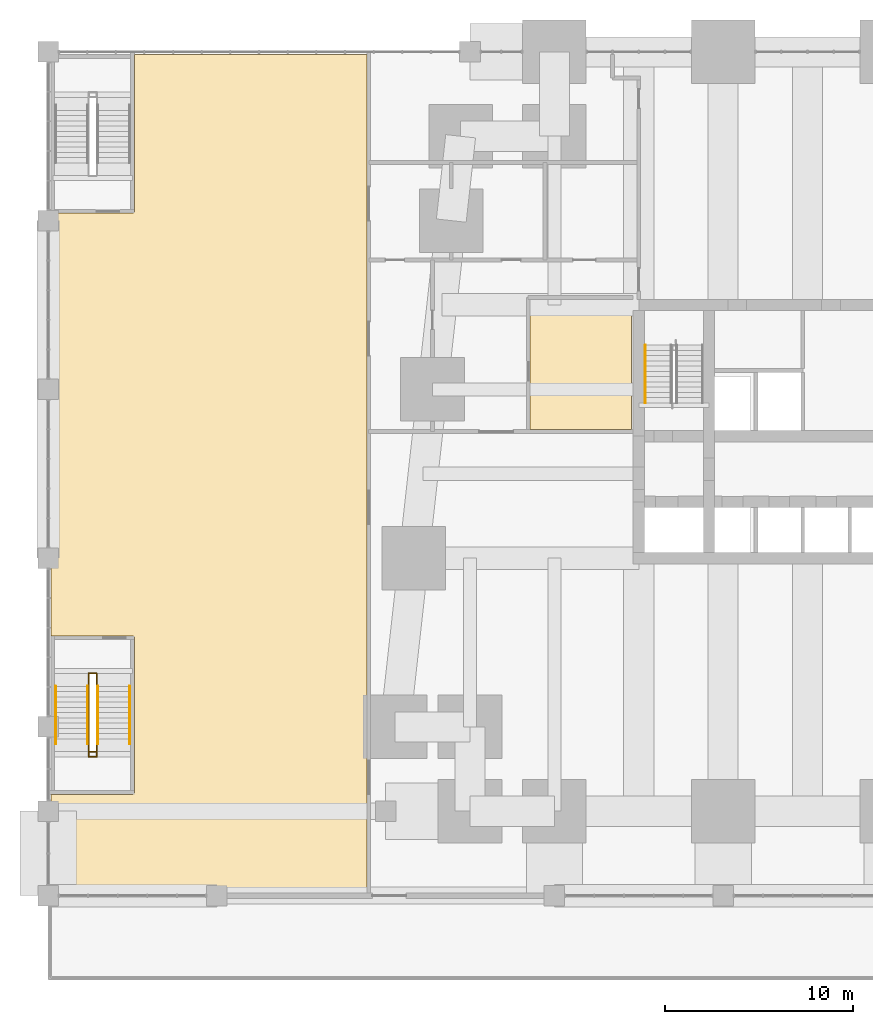
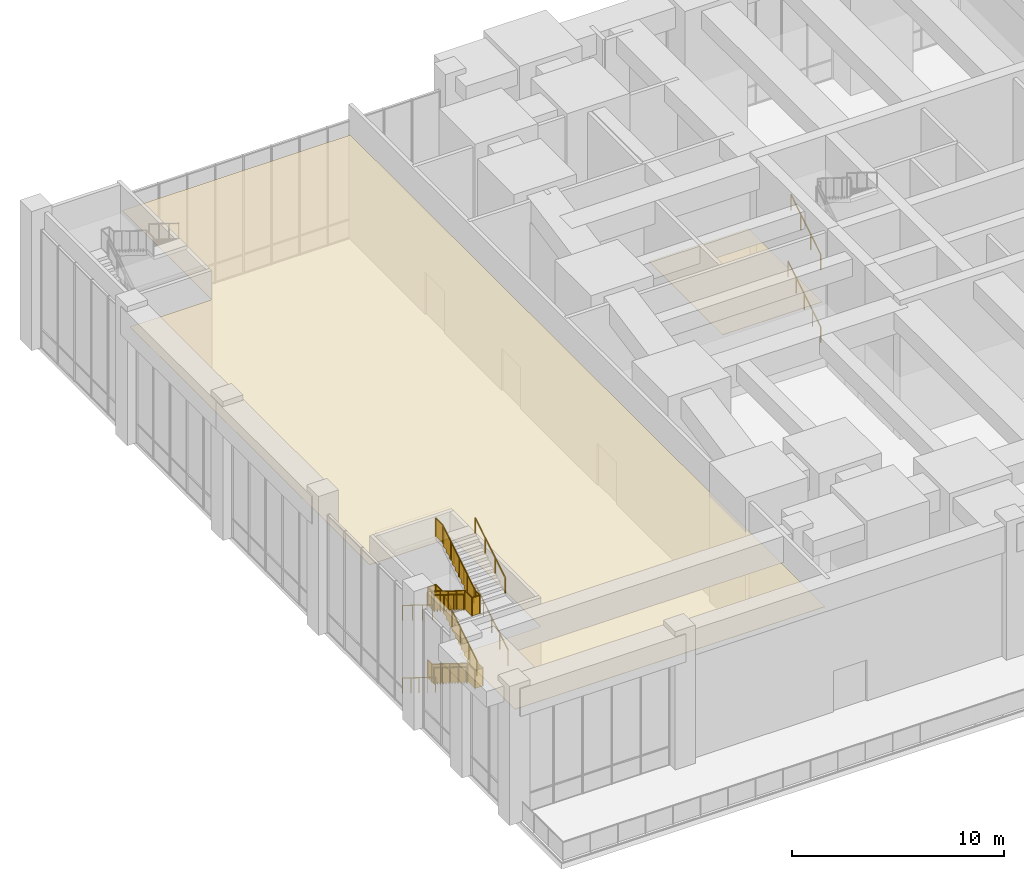
# One storey, part 23 of 26: 14 railings, 2 coverings.
"""IFC4 building model written with IfcOpenShell, lengths in metres."""

from ifc_helpers import new_model, si_unit, direction, frame, origin, origin_2d, place, context, subcontext, project, spatial, polyline, circle, outline, extrude, material, layer, layer_set, type_object, element, save


model = new_model("IFC4")

# Units and contexts
model_context = context("Model", 3, precision=1e-05, world=origin(), true_north=direction((0.0, 1.0)))
body_context = subcontext(model_context, "Body", "Model", "MODEL_VIEW")
ifc_project = project(units=[si_unit("LENGTHUNIT", "METRE"), si_unit("AREAUNIT", "SQUARE_METRE"), si_unit("VOLUMEUNIT", "CUBIC_METRE"), si_unit("PLANEANGLEUNIT", "RADIAN"), si_unit("MASSUNIT", "GRAM", prefix="KILO")], contexts=[model_context])

# Site, building, storey
site_placement = place(None, origin())
site = spatial("IfcSite", under=ifc_project, at=site_placement, CompositionType="ELEMENT")
building_placement = place(site_placement, origin())
building = spatial("IfcBuilding", under=site, at=building_placement, Name="Kilele Tower Hotel", CompositionType="ELEMENT")
storey_placement = place(building_placement, frame((0.0, 0.0, 11.0)))
storey = spatial("IfcBuildingStorey", under=building, at=storey_placement, Name="L02", CompositionType="ELEMENT", Elevation=11.0)

# Railings
ifc_material_1 = material(Name="Steel handrail", Category="steel")
railing_type_1 = type_object("IfcRailingType", Name="Handrail 900", PredefinedType="HANDRAIL", material=ifc_material_1)
railing_1_placement = place(storey_placement, frame((13.85009765625, 21.77490234375, 0.173828125)))
element("IfcRailing", 1, at=railing_1_placement, inside=storey, type_object=railing_type_1, Name="Handrail ST1 flight 1", PredefinedType="HANDRAIL", context=body_context, shape_type="SweptSolid", body=[
    extrude(circle(Radius=0.02490234375, at=origin_2d()), frame((0.0, 0.0, 0.875), z_axis=(0.0, 0.849477832307, 0.527624309921), x_axis=(-1.0, 0.0, 0.0)), (0.0, 0.0, 1.0), 3.625732421875),
    extrude(circle(Radius=0.02001953125, at=origin_2d()), origin(), (0.0, 0.0, 1.0), 0.849853515625),
    extrude(circle(Radius=0.02001953125, at=origin_2d()), frame((0.0, 0.77001953125, 0.478271484375)), (0.0, 0.0, 1.0), 0.849853515625),
    extrude(circle(Radius=0.02001953125, at=origin_2d()), frame((0.0, 1.5400390625, 0.95654296875)), (0.0, 0.0, 1.0), 0.849853515625),
    extrude(circle(Radius=0.02001953125, at=origin_2d()), frame((0.0, 2.31005859375, 1.434814453125)), (0.0, 0.0, 1.0), 0.849853515625),
    extrude(circle(Radius=0.02001953125, at=origin_2d()), frame((0.0, 3.080078125, 1.9130859375)), (0.0, 0.0, 1.0), 0.849853515625),
])
railing_2_placement = place(storey_placement, frame((13.85009765625, 21.77490234375, 4.347900390625)))
element("IfcRailing", 2, at=railing_2_placement, inside=storey, type_object=railing_type_1, Name="Handrail ST1 flight 3", PredefinedType="HANDRAIL", context=body_context, shape_type="SweptSolid", body=[
    extrude(circle(Radius=0.02490234375, at=origin_2d()), frame((0.0, 0.0, 0.875), z_axis=(0.0, 0.849497083269, 0.527593314511), x_axis=(-1.0, 0.0, 0.0)), (0.0, 0.0, 1.0), 3.296142578125),
    extrude(circle(Radius=0.02001953125, at=origin_2d()), origin(), (0.0, 0.0, 1.0), 0.849853515625),
    extrude(circle(Radius=0.02001953125, at=origin_2d()), frame((0.0, 0.933349609375, 0.57958984375)), (0.0, 0.0, 1.0), 0.849853515625),
    extrude(circle(Radius=0.02001953125, at=origin_2d()), frame((0.0, 1.86669921875, 1.159423828125)), (0.0, 0.0, 1.0), 0.849853515625),
    extrude(circle(Radius=0.02001953125, at=origin_2d()), frame((0.0, 2.800048828125, 1.739013671875)), (0.0, 0.0, 1.0), 0.849853515625),
])
for number, where, name in (
    (3, (-17.60009765625, 6.6650390625, 0.173828125), "Handrail ST4 flight 1"),
    (4, (-15.89990234375, 6.6650390625, 0.173828125), "Handrail ST4 flight 1"),
):
    element("IfcRailing", number, at=place(storey_placement, frame(where)), inside=storey, type_object=railing_type_1, Name=name, PredefinedType="HANDRAIL", context=body_context, shape_type="SweptSolid", body=[
        extrude(circle(Radius=0.02490234375, at=origin_2d()), frame((0.0, 0.0, 0.875), z_axis=(0.0, -0.849477832307, 0.527624309921), x_axis=(1.0, 0.0, 0.0)), (0.0, 0.0, 1.0), 3.625732421875),
        extrude(circle(Radius=0.02001953125, at=origin_2d()), origin(), (0.0, 0.0, 1.0), 0.849853515625),
        extrude(circle(Radius=0.02001953125, at=origin_2d()), frame((0.0, -0.77001953125, 0.478271484375)), (0.0, 0.0, 1.0), 0.849853515625),
        extrude(circle(Radius=0.02001953125, at=origin_2d()), frame((0.0, -1.5400390625, 0.95654296875)), (0.0, 0.0, 1.0), 0.849853515625),
        extrude(circle(Radius=0.02001953125, at=origin_2d()), frame((0.0, -2.31005859375, 1.434814453125)), (0.0, 0.0, 1.0), 0.849853515625),
        extrude(circle(Radius=0.02001953125, at=origin_2d()), frame((0.0, -3.080078125, 1.9130859375)), (0.0, 0.0, 1.0), 0.849853515625),
    ])
for number, where, name in (
    (5, (-15.35009765625, 3.5849609375, 2.260986328125), "Handrail ST4 flight 2"),
    (6, (-13.64990234375, 3.5849609375, 2.260986328125), "Handrail ST4 flight 2"),
):
    element("IfcRailing", number, at=place(storey_placement, frame(where)), inside=storey, type_object=railing_type_1, Name=name, PredefinedType="HANDRAIL", context=body_context, shape_type="SweptSolid", body=[
        extrude(circle(Radius=0.02490234375, at=origin_2d()), frame((0.0, 0.0, 0.875), z_axis=(0.0, 0.849508011154, 0.527575718722), x_axis=(-1.0, 0.0, 0.0)), (0.0, 0.0, 1.0), 3.625732421875),
        extrude(circle(Radius=0.02001953125, at=origin_2d()), origin(), (0.0, 0.0, 1.0), 0.849853515625),
        extrude(circle(Radius=0.02001953125, at=origin_2d()), frame((0.0, 0.77001953125, 0.478271484375)), (0.0, 0.0, 1.0), 0.849853515625),
        extrude(circle(Radius=0.02001953125, at=origin_2d()), frame((0.0, 1.5400390625, 0.95654296875)), (0.0, 0.0, 1.0), 0.849853515625),
        extrude(circle(Radius=0.02001953125, at=origin_2d()), frame((0.0, 2.31005859375, 1.4345703125)), (0.0, 0.0, 1.0), 0.849853515625),
        extrude(circle(Radius=0.02001953125, at=origin_2d()), frame((0.0, 3.080078125, 1.912841796875)), (0.0, 0.0, 1.0), 0.849853515625),
    ])
for number, where, name in (
    (7, (-17.60009765625, 6.6650390625, 4.347900390625), "Handrail ST4 flight 3"),
    (8, (-15.89990234375, 6.6650390625, 4.347900390625), "Handrail ST4 flight 3"),
):
    element("IfcRailing", number, at=place(storey_placement, frame(where)), inside=storey, type_object=railing_type_1, Name=name, PredefinedType="HANDRAIL", context=body_context, shape_type="SweptSolid", body=[
        extrude(circle(Radius=0.02490234375, at=origin_2d()), frame((0.0, 0.0, 0.875), z_axis=(0.0, -0.849497083269, 0.527593314511), x_axis=(1.0, 0.0, 0.0)), (0.0, 0.0, 1.0), 3.296142578125),
        extrude(circle(Radius=0.02001953125, at=origin_2d()), origin(), (0.0, 0.0, 1.0), 0.849853515625),
        extrude(circle(Radius=0.02001953125, at=origin_2d()), frame((0.0, -0.933349609375, 0.57958984375)), (0.0, 0.0, 1.0), 0.849853515625),
        extrude(circle(Radius=0.02001953125, at=origin_2d()), frame((0.0, -1.86669921875, 1.159423828125)), (0.0, 0.0, 1.0), 0.849853515625),
        extrude(circle(Radius=0.02001953125, at=origin_2d()), frame((0.0, -2.800048828125, 1.739013671875)), (0.0, 0.0, 1.0), 0.849853515625),
    ])
for number, where, name in (
    (9, (-15.35009765625, 3.864990234375, 6.260986328125), "Handrail ST4 flight 4"),
    (10, (-13.64990234375, 3.864990234375, 6.260986328125), "Handrail ST4 flight 4"),
):
    element("IfcRailing", number, at=place(storey_placement, frame(where)), inside=storey, type_object=railing_type_1, Name=name, PredefinedType="HANDRAIL", context=body_context, shape_type="SweptSolid", body=[
        extrude(circle(Radius=0.02490234375, at=origin_2d()), frame((0.0, 0.0, 0.875), z_axis=(0.0, 0.849497083269, 0.527593314511), x_axis=(-1.0, 0.0, 0.0)), (0.0, 0.0, 1.0), 3.296142578125),
        extrude(circle(Radius=0.02001953125, at=origin_2d()), origin(), (0.0, 0.0, 1.0), 0.849853515625),
        extrude(circle(Radius=0.02001953125, at=origin_2d()), frame((0.0, 0.933349609375, 0.57958984375)), (0.0, 0.0, 1.0), 0.849853515625),
        extrude(circle(Radius=0.02001953125, at=origin_2d()), frame((0.0, 1.86669921875, 1.159423828125)), (0.0, 0.0, 1.0), 0.849853515625),
        extrude(circle(Radius=0.02001953125, at=origin_2d()), frame((0.0, 2.800048828125, 1.739013671875)), (0.0, 0.0, 1.0), 0.849853515625),
    ])
ifc_material_2 = material(Name="Steel guard", Category="steel")
railing_type_2 = type_object("IfcRailingType", Name="Stair guard 1100", PredefinedType="GUARDRAIL", material=ifc_material_2)
railing_3_placement = place(storey_placement, frame((-15.840087890625, 7.35009765625, 0.0)))
element("IfcRailing", 11, at=railing_3_placement, inside=storey, type_object=railing_type_2, Name="Stair well guard ST4 flight 1", PredefinedType="GUARDRAIL", context=body_context, shape_type="SweptSolid", body=[
    extrude(circle(Radius=0.02490234375, at=origin_2d()), frame((0.0, 0.0, 1.0751953125), z_axis=(0.0, -1.0, 0.0), x_axis=(1.0, 0.0, 0.0)), (0.0, 0.0, 1.0), 0.405029296875),
    extrude(circle(Radius=0.02490234375, at=origin_2d()), frame((0.0, -0.405029296875, 1.0751953125), z_axis=(0.0, -0.849489453968, 0.527605598527), x_axis=(1.0, 0.0, 0.0)), (0.0, 0.0, 1.0), 3.955322265625),
    extrude(circle(Radius=0.02490234375, at=origin_2d()), frame((0.0, -3.76513671875, 3.162109375), z_axis=(0.0, -1.0, 0.0), x_axis=(1.0, 0.0, 0.0)), (0.0, 0.0, 1.0), 0.68505859375),
    extrude(circle(Radius=0.02490234375, at=origin_2d()), frame((0.0, -4.4501953125, 3.162109375), z_axis=(1.0, 0.0, 0.0), x_axis=(0.0, 1.0, 0.0)), (0.0, 0.0, 1.0), 0.43017578125),
    extrude(circle(Radius=0.02490234375, at=origin_2d()), origin(), (0.0, 0.0, 1.0), 1.050048828125),
    extrude(circle(Radius=0.02490234375, at=origin_2d()), frame((0.0, -0.405029296875, 0.0)), (0.0, 0.0, 1.0), 1.050048828125),
    extrude(circle(Radius=0.02490234375, at=origin_2d()), frame((0.0, -1.2451171875, 0.521728515625)), (0.0, 0.0, 1.0), 1.050048828125),
    extrude(circle(Radius=0.02490234375, at=origin_2d()), frame((0.0, -2.0849609375, 1.04345703125)), (0.0, 0.0, 1.0), 1.050048828125),
    extrude(circle(Radius=0.02490234375, at=origin_2d()), frame((0.0, -2.925048828125, 1.565185546875)), (0.0, 0.0, 1.0), 1.050048828125),
    extrude(circle(Radius=0.02490234375, at=origin_2d()), frame((0.0, -3.76513671875, 2.0869140625)), (0.0, 0.0, 1.0), 1.050048828125),
    extrude(circle(Radius=0.02490234375, at=origin_2d()), frame((0.0, -4.4501953125, 2.0869140625)), (0.0, 0.0, 1.0), 1.050048828125),
    extrude(circle(Radius=0.02490234375, at=origin_2d()), frame((0.43017578125, -4.4501953125, 2.0869140625)), (0.0, 0.0, 1.0), 1.050048828125),
    extrude(outline(polyline([(0.0, 0.030029296875), (0.392578125, 0.030029296875), (0.392578125, 1.050048828125), (0.0, 1.050048828125), (0.0, 0.030029296875)])), frame((0.005859375, 0.0, 0.0), z_axis=(-1.0, 0.0, 0.0), x_axis=(0.0, -1.0, 0.0)), (0.0, 0.0, 1.0), 0.011962890625),
    extrude(outline(polyline([(0.012451171875, 0.030029296875), (0.25, 0.030029296875), (0.25, 0.203857421875), (0.530029296875, 0.203857421875), (0.530029296875, 0.3779296875), (0.81005859375, 0.3779296875), (0.81005859375, 0.5517578125), (1.090087890625, 0.5517578125), (1.090087890625, 0.7255859375), (1.3701171875, 0.7255859375), (1.3701171875, 0.899658203125), (1.64990234375, 0.899658203125), (1.64990234375, 1.073486328125), (1.929931640625, 1.073486328125), (1.929931640625, 1.247314453125), (2.2099609375, 1.247314453125), (2.2099609375, 1.42138671875), (2.489990234375, 1.42138671875), (2.489990234375, 1.59521484375), (2.77001953125, 1.59521484375), (2.77001953125, 1.76904296875), (3.050048828125, 1.76904296875), (3.050048828125, 1.943115234375), (3.330078125, 1.943115234375), (3.330078125, 2.116943359375), (3.34765625, 2.116943359375), (3.34765625, 3.124755859375), (0.012451171875, 1.053466796875), (0.012451171875, 0.030029296875)])), frame((0.005859375, -0.405029296875, 0.0), z_axis=(-1.0, 0.0, 0.0), x_axis=(0.0, -1.0, 0.0)), (0.0, 0.0, 1.0), 0.011962890625),
    extrude(outline(polyline([(0.012451171875, 0.030029296875), (0.672607421875, 0.030029296875), (0.672607421875, 1.050048828125), (0.012451171875, 1.050048828125), (0.012451171875, 0.030029296875)])), frame((0.005859375, -3.76513671875, 2.0869140625), z_axis=(-1.0, 0.0, 0.0), x_axis=(0.0, -1.0, 0.0)), (0.0, 0.0, 1.0), 0.011962890625),
    extrude(outline(polyline([(0.012451171875, 0.030029296875), (0.43017578125, 0.030029296875), (0.43017578125, 1.050048828125), (0.012451171875, 1.050048828125), (0.012451171875, 0.030029296875)])), frame((0.0, -4.4443359375, 2.0869140625), z_axis=(0.0, -1.0, 0.0), x_axis=(1.0, 0.0, 0.0)), (0.0, 0.0, 1.0), 0.011962890625),
])
railing_4_placement = place(storey_placement, frame((-15.409912109375, 2.89990234375, 2.0869140625)))
element("IfcRailing", 12, at=railing_4_placement, inside=storey, type_object=railing_type_2, Name="Stair well guard ST4 flight 2", PredefinedType="GUARDRAIL", context=body_context, shape_type="SweptSolid", body=[
    extrude(circle(Radius=0.02490234375, at=origin_2d()), frame((0.0, 0.0, 1.0751953125), z_axis=(0.0, 1.0, 0.0), x_axis=(-1.0, 0.0, 0.0)), (0.0, 0.0, 1.0), 0.405029296875),
    extrude(circle(Radius=0.02490234375, at=origin_2d()), frame((0.0, 0.405029296875, 1.0751953125), z_axis=(0.0, 0.849489453968, 0.527605598527), x_axis=(-1.0, 0.0, 0.0)), (0.0, 0.0, 1.0), 3.955322265625),
    extrude(circle(Radius=0.02490234375, at=origin_2d()), frame((0.0, 3.76513671875, 3.162109375), z_axis=(0.0, 1.0, 0.0), x_axis=(-1.0, 0.0, 0.0)), (0.0, 0.0, 1.0), 0.68505859375),
    extrude(circle(Radius=0.02490234375, at=origin_2d()), frame((0.0, 4.4501953125, 3.162109375), z_axis=(-1.0, 0.0, 0.0), x_axis=(0.0, -1.0, 0.0)), (0.0, 0.0, 1.0), 0.43017578125),
    extrude(circle(Radius=0.02490234375, at=origin_2d()), origin(), (0.0, 0.0, 1.0), 1.050048828125),
    extrude(circle(Radius=0.02490234375, at=origin_2d()), frame((0.0, 0.405029296875, 0.0)), (0.0, 0.0, 1.0), 1.050048828125),
    extrude(circle(Radius=0.02490234375, at=origin_2d()), frame((0.0, 1.2451171875, 0.521728515625)), (0.0, 0.0, 1.0), 1.050048828125),
    extrude(circle(Radius=0.02490234375, at=origin_2d()), frame((0.0, 2.0849609375, 1.04345703125)), (0.0, 0.0, 1.0), 1.050048828125),
    extrude(circle(Radius=0.02490234375, at=origin_2d()), frame((0.0, 2.925048828125, 1.565185546875)), (0.0, 0.0, 1.0), 1.050048828125),
    extrude(circle(Radius=0.02490234375, at=origin_2d()), frame((0.0, 3.76513671875, 2.0869140625)), (0.0, 0.0, 1.0), 1.050048828125),
    extrude(circle(Radius=0.02490234375, at=origin_2d()), frame((0.0, 4.4501953125, 2.0869140625)), (0.0, 0.0, 1.0), 1.050048828125),
    extrude(circle(Radius=0.02490234375, at=origin_2d()), frame((-0.43017578125, 4.4501953125, 2.0869140625)), (0.0, 0.0, 1.0), 1.050048828125),
    extrude(outline(polyline([(0.0, 0.030029296875), (0.392578125, 0.030029296875), (0.392578125, 1.050048828125), (0.0, 1.050048828125), (0.0, 0.030029296875)])), frame((-0.005859375, 0.0, 0.0), z_axis=(1.0, 0.0, 0.0), x_axis=(0.0, 1.0, 0.0)), (0.0, 0.0, 1.0), 0.011962890625),
    extrude(outline(polyline([(0.012451171875, 0.030029296875), (0.25, 0.030029296875), (0.25, 0.203857421875), (0.530029296875, 0.203857421875), (0.530029296875, 0.3779296875), (0.81005859375, 0.3779296875), (0.81005859375, 0.5517578125), (1.090087890625, 0.5517578125), (1.090087890625, 0.7255859375), (1.3701171875, 0.7255859375), (1.3701171875, 0.899658203125), (1.64990234375, 0.899658203125), (1.64990234375, 1.073486328125), (1.929931640625, 1.073486328125), (1.929931640625, 1.247314453125), (2.2099609375, 1.247314453125), (2.2099609375, 1.42138671875), (2.489990234375, 1.42138671875), (2.489990234375, 1.59521484375), (2.77001953125, 1.59521484375), (2.77001953125, 1.76904296875), (3.050048828125, 1.76904296875), (3.050048828125, 1.943115234375), (3.330078125, 1.943115234375), (3.330078125, 2.116943359375), (3.34765625, 2.116943359375), (3.34765625, 3.124755859375), (0.012451171875, 1.053466796875), (0.012451171875, 0.030029296875)])), frame((-0.005859375, 0.405029296875, 0.0), z_axis=(1.0, 0.0, 0.0), x_axis=(0.0, 1.0, 0.0)), (0.0, 0.0, 1.0), 0.011962890625),
    extrude(outline(polyline([(0.012451171875, 0.030029296875), (0.672607421875, 0.030029296875), (0.672607421875, 1.050048828125), (0.012451171875, 1.050048828125), (0.012451171875, 0.030029296875)])), frame((-0.005859375, 3.76513671875, 2.0869140625), z_axis=(1.0, 0.0, 0.0), x_axis=(0.0, 1.0, 0.0)), (0.0, 0.0, 1.0), 0.011962890625),
    extrude(outline(polyline([(0.012451171875, 0.030029296875), (0.43017578125, 0.030029296875), (0.43017578125, 1.050048828125), (0.012451171875, 1.050048828125), (0.012451171875, 0.030029296875)])), frame((0.0, 4.4443359375, 2.0869140625), z_axis=(0.0, 1.0, 0.0), x_axis=(-1.0, 0.0, 0.0)), (0.0, 0.0, 1.0), 0.011962890625),
])
railing_5_placement = place(storey_placement, frame((-15.840087890625, 7.35009765625, 4.173828125)))
element("IfcRailing", 13, at=railing_5_placement, inside=storey, type_object=railing_type_2, Name="Stair well guard ST4 flight 3", PredefinedType="GUARDRAIL", context=body_context, shape_type="SweptSolid", body=[
    extrude(circle(Radius=0.02490234375, at=origin_2d()), frame((0.0, 0.0, 1.0751953125), z_axis=(0.0, -1.0, 0.0), x_axis=(1.0, 0.0, 0.0)), (0.0, 0.0, 1.0), 0.405029296875),
    extrude(circle(Radius=0.02490234375, at=origin_2d()), frame((0.0, -0.405029296875, 1.0751953125), z_axis=(0.0, -0.849477832307, 0.527624309921), x_axis=(1.0, 0.0, 0.0)), (0.0, 0.0, 1.0), 3.625732421875),
    extrude(circle(Radius=0.02490234375, at=origin_2d()), frame((0.0, -3.485107421875, 2.98828125), z_axis=(0.0, -1.0, 0.0), x_axis=(1.0, 0.0, 0.0)), (0.0, 0.0, 1.0), 0.68505859375),
    extrude(circle(Radius=0.02490234375, at=origin_2d()), frame((0.0, -4.170166015625, 2.98828125), z_axis=(1.0, 0.0, 0.0), x_axis=(0.0, 1.0, 0.0)), (0.0, 0.0, 1.0), 0.43017578125),
    extrude(circle(Radius=0.02490234375, at=origin_2d()), origin(), (0.0, 0.0, 1.0), 1.050048828125),
    extrude(circle(Radius=0.02490234375, at=origin_2d()), frame((0.0, -0.405029296875, 0.0)), (0.0, 0.0, 1.0), 1.050048828125),
    extrude(circle(Radius=0.02490234375, at=origin_2d()), frame((0.0, -1.175048828125, 0.478271484375)), (0.0, 0.0, 1.0), 1.050048828125),
    extrude(circle(Radius=0.02490234375, at=origin_2d()), frame((0.0, -1.945068359375, 0.95654296875)), (0.0, 0.0, 1.0), 1.050048828125),
    extrude(circle(Radius=0.02490234375, at=origin_2d()), frame((0.0, -2.715087890625, 1.434814453125)), (0.0, 0.0, 1.0), 1.050048828125),
    extrude(circle(Radius=0.02490234375, at=origin_2d()), frame((0.0, -3.485107421875, 1.9130859375)), (0.0, 0.0, 1.0), 1.050048828125),
    extrude(circle(Radius=0.02490234375, at=origin_2d()), frame((0.0, -4.170166015625, 1.9130859375)), (0.0, 0.0, 1.0), 1.050048828125),
    extrude(circle(Radius=0.02490234375, at=origin_2d()), frame((0.43017578125, -4.170166015625, 1.9130859375)), (0.0, 0.0, 1.0), 1.050048828125),
    extrude(outline(polyline([(0.0, 0.030029296875), (0.392578125, 0.030029296875), (0.392578125, 1.050048828125), (0.0, 1.050048828125), (0.0, 0.030029296875)])), frame((0.005859375, 0.0, 0.0), z_axis=(-1.0, 0.0, 0.0), x_axis=(0.0, -1.0, 0.0)), (0.0, 0.0, 1.0), 0.011962890625),
    extrude(outline(polyline([(0.012451171875, 0.030029296875), (0.25, 0.030029296875), (0.25, 0.203857421875), (0.530029296875, 0.203857421875), (0.530029296875, 0.3779296875), (0.81005859375, 0.3779296875), (0.81005859375, 0.5517578125), (1.090087890625, 0.5517578125), (1.090087890625, 0.7255859375), (1.3701171875, 0.7255859375), (1.3701171875, 0.899658203125), (1.64990234375, 0.899658203125), (1.64990234375, 1.073486328125), (1.929931640625, 1.073486328125), (1.929931640625, 1.24755859375), (2.2099609375, 1.24755859375), (2.2099609375, 1.42138671875), (2.489990234375, 1.42138671875), (2.489990234375, 1.59521484375), (2.77001953125, 1.59521484375), (2.77001953125, 1.769287109375), (3.050048828125, 1.769287109375), (3.050048828125, 1.943115234375), (3.067626953125, 1.943115234375), (3.067626953125, 2.950927734375), (0.012451171875, 1.053466796875), (0.012451171875, 0.030029296875)])), frame((0.005859375, -0.405029296875, 0.0), z_axis=(-1.0, 0.0, 0.0), x_axis=(0.0, -1.0, 0.0)), (0.0, 0.0, 1.0), 0.011962890625),
    extrude(outline(polyline([(0.012451171875, 0.030029296875), (0.672607421875, 0.030029296875), (0.672607421875, 1.050048828125), (0.012451171875, 1.050048828125), (0.012451171875, 0.030029296875)])), frame((0.005859375, -3.485107421875, 1.9130859375), z_axis=(-1.0, 0.0, 0.0), x_axis=(0.0, -1.0, 0.0)), (0.0, 0.0, 1.0), 0.011962890625),
    extrude(outline(polyline([(0.012451171875, 0.030029296875), (0.43017578125, 0.030029296875), (0.43017578125, 1.050048828125), (0.012451171875, 1.050048828125), (0.012451171875, 0.030029296875)])), frame((0.0, -4.1640625, 1.9130859375), z_axis=(0.0, -1.0, 0.0), x_axis=(1.0, 0.0, 0.0)), (0.0, 0.0, 1.0), 0.011962890625),
])
railing_6_placement = place(storey_placement, frame((-15.409912109375, 3.179931640625, 6.0869140625)))
element("IfcRailing", 14, at=railing_6_placement, inside=storey, type_object=railing_type_2, Name="Stair well guard ST4 flight 4", PredefinedType="GUARDRAIL", context=body_context, shape_type="SweptSolid", body=[
    extrude(circle(Radius=0.02490234375, at=origin_2d()), frame((0.0, 0.0, 1.0751953125), z_axis=(0.0, 1.0, 0.0), x_axis=(-1.0, 0.0, 0.0)), (0.0, 0.0, 1.0), 0.405029296875),
    extrude(circle(Radius=0.02490234375, at=origin_2d()), frame((0.0, 0.405029296875, 1.0751953125), z_axis=(0.0, 0.849477832307, 0.527624309921), x_axis=(-1.0, 0.0, 0.0)), (0.0, 0.0, 1.0), 3.625732421875),
    extrude(circle(Radius=0.02490234375, at=origin_2d()), frame((0.0, 3.485107421875, 2.98828125), z_axis=(0.0, 1.0, 0.0), x_axis=(-1.0, 0.0, 0.0)), (0.0, 0.0, 1.0), 0.68505859375),
    extrude(circle(Radius=0.02490234375, at=origin_2d()), origin(), (0.0, 0.0, 1.0), 1.050048828125),
    extrude(circle(Radius=0.02490234375, at=origin_2d()), frame((0.0, 0.405029296875, 0.0)), (0.0, 0.0, 1.0), 1.050048828125),
    extrude(circle(Radius=0.02490234375, at=origin_2d()), frame((0.0, 1.175048828125, 0.478271484375)), (0.0, 0.0, 1.0), 1.050048828125),
    extrude(circle(Radius=0.02490234375, at=origin_2d()), frame((0.0, 1.945068359375, 0.95654296875)), (0.0, 0.0, 1.0), 1.050048828125),
    extrude(circle(Radius=0.02490234375, at=origin_2d()), frame((0.0, 2.715087890625, 1.434814453125)), (0.0, 0.0, 1.0), 1.050048828125),
    extrude(circle(Radius=0.02490234375, at=origin_2d()), frame((0.0, 3.485107421875, 1.9130859375)), (0.0, 0.0, 1.0), 1.050048828125),
    extrude(circle(Radius=0.02490234375, at=origin_2d()), frame((0.0, 4.170166015625, 1.9130859375)), (0.0, 0.0, 1.0), 1.050048828125),
    extrude(outline(polyline([(0.0, 0.030029296875), (0.392578125, 0.030029296875), (0.392578125, 1.050048828125), (0.0, 1.050048828125), (0.0, 0.030029296875)])), frame((-0.005859375, 0.0, 0.0), z_axis=(1.0, 0.0, 0.0), x_axis=(0.0, 1.0, 0.0)), (0.0, 0.0, 1.0), 0.011962890625),
    extrude(outline(polyline([(0.012451171875, 0.030029296875), (0.25, 0.030029296875), (0.25, 0.203857421875), (0.530029296875, 0.203857421875), (0.530029296875, 0.3779296875), (0.81005859375, 0.3779296875), (0.81005859375, 0.5517578125), (1.090087890625, 0.5517578125), (1.090087890625, 0.7255859375), (1.3701171875, 0.7255859375), (1.3701171875, 0.899658203125), (1.64990234375, 0.899658203125), (1.64990234375, 1.073486328125), (1.929931640625, 1.073486328125), (1.929931640625, 1.24755859375), (2.2099609375, 1.24755859375), (2.2099609375, 1.42138671875), (2.489990234375, 1.42138671875), (2.489990234375, 1.59521484375), (2.77001953125, 1.59521484375), (2.77001953125, 1.769287109375), (3.050048828125, 1.769287109375), (3.050048828125, 1.943115234375), (3.067626953125, 1.943115234375), (3.067626953125, 2.950927734375), (0.012451171875, 1.053466796875), (0.012451171875, 0.030029296875)])), frame((-0.005859375, 0.405029296875, 0.0), z_axis=(1.0, 0.0, 0.0), x_axis=(0.0, 1.0, 0.0)), (0.0, 0.0, 1.0), 0.011962890625),
    extrude(outline(polyline([(0.012451171875, 0.030029296875), (0.68505859375, 0.030029296875), (0.68505859375, 1.050048828125), (0.012451171875, 1.050048828125), (0.012451171875, 0.030029296875)])), frame((-0.005859375, 3.485107421875, 1.9130859375), z_axis=(1.0, 0.0, 0.0), x_axis=(0.0, 1.0, 0.0)), (0.0, 0.0, 1.0), 0.011962890625),
])

# Coverings
ifc_material_3 = material(Name="Gypsum board suspended ceiling", Category="gypsum")
ifc_layer = layer(ifc_material_3, 0.02490234375)
ifc_layer_set = layer_set([ifc_layer], Name="Gypsum board suspended ceiling")
covering_type = type_object("IfcCoveringType", Name="Suspended ceiling 25", PredefinedType="CEILING", material=ifc_layer_set)
covering_1_placement = place(storey_placement, frame((0.0, 0.0, 6.0)))
element("IfcCovering", 15, at=covering_1_placement, inside=storey, type_object=covering_type, Name="Suspended ceiling Grand ballroom", PredefinedType="CEILING", context=body_context, shape_type="SweptSolid", body=[
    extrude(outline(polyline([(-1.0, 40.35009765625), (-1.0, -4.35009765625), (-17.85009765625, -4.35009765625), (-17.85009765625, 0.89990234375), (-13.5, 0.89990234375), (-13.48046875, 0.90185546875), (-13.461669921875, 0.90771484375), (-13.4443359375, 0.9169921875), (-13.42919921875, 0.92919921875), (-13.4169921875, 0.9443359375), (-13.40771484375, 0.961669921875), (-13.40185546875, 0.98046875), (-13.39990234375, 1.0), (-13.39990234375, 9.25), (-13.40185546875, 9.26953125), (-13.411865234375, 9.297119140625), (-13.42919921875, 9.32080078125), (-13.452880859375, 9.338134765625), (-13.48046875, 9.34814453125), (-13.5, 9.35009765625), (-17.85009765625, 9.35009765625), (-17.85009765625, 31.89990234375), (-13.5, 31.89990234375), (-13.470947265625, 31.904296875), (-13.452880859375, 31.911865234375), (-13.42919921875, 31.92919921875), (-13.411865234375, 31.952880859375), (-13.40185546875, 31.98046875), (-13.39990234375, 32.0), (-13.39990234375, 40.35009765625), (-1.0, 40.35009765625)])), origin(), (0.0, 0.0, 1.0), 0.02490234375),
])
covering_2_placement = place(storey_placement, frame((0.0, 0.0, 3.60009765625)))
element("IfcCovering", 16, at=covering_2_placement, inside=storey, type_object=covering_type, Name="Suspended ceiling Dishwash", PredefinedType="CEILING", context=body_context, shape_type="SweptSolid", body=[
    extrude(outline(polyline([(13.10009765625, 20.35009765625), (7.699951171875, 20.35009765625), (7.699951171875, 27.300048828125), (13.10009765625, 27.300048828125), (13.10009765625, 20.35009765625)])), origin(), (0.0, 0.0, 1.0), 0.02490234375),
])

save(model, "model.ifc")
